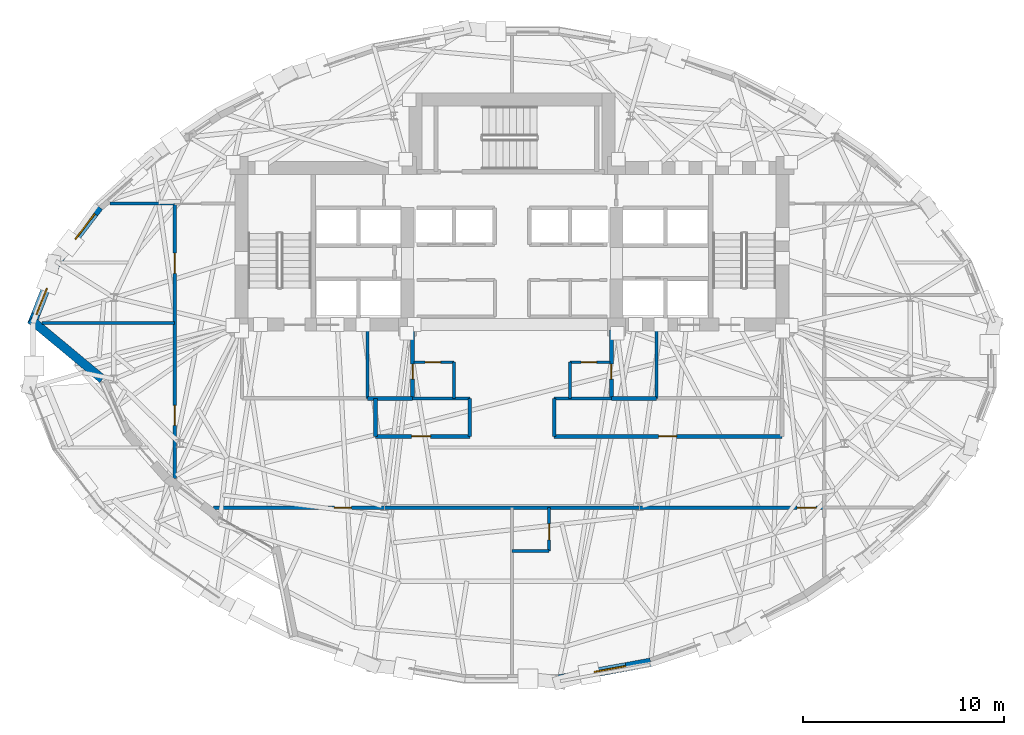
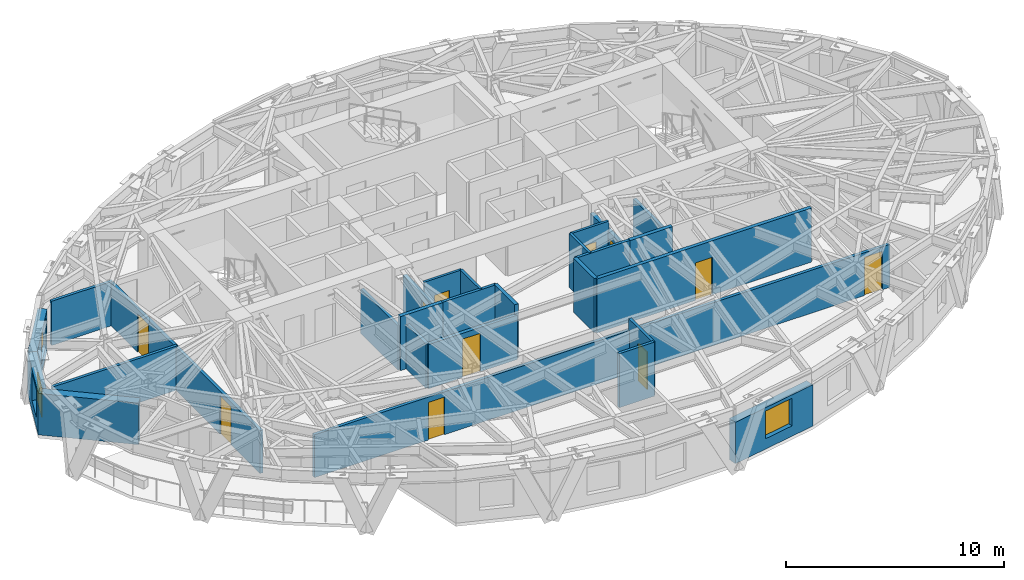
# One storey, part 7 of 15: 27 walls, 11 doors, 3 windows, 14 openings.
"""IFC4 building model written with IfcOpenShell, lengths in metres."""

from ifc_helpers import new_model, si_unit, direction, frame, frame_2d, origin, place, context, subcontext, project, spatial, rectangle, extrude, material, layer, layer_set, type_object, element, fill, save


model = new_model("IFC4")

# Units and contexts
model_context = context("Model", 3, precision=1e-05, world=origin(), true_north=direction((0.0, 1.0)))
body_context = subcontext(model_context, "Body", "Model", "MODEL_VIEW")
ifc_project = project(units=[si_unit("LENGTHUNIT", "METRE"), si_unit("AREAUNIT", "SQUARE_METRE"), si_unit("VOLUMEUNIT", "CUBIC_METRE"), si_unit("PLANEANGLEUNIT", "RADIAN"), si_unit("MASSUNIT", "GRAM", prefix="KILO")], contexts=[model_context])

# Site, building, storey
site_placement = place(None, origin())
site = spatial("IfcSite", under=ifc_project, at=site_placement, CompositionType="ELEMENT")
building_placement = place(site_placement, origin())
building = spatial("IfcBuilding", under=site, at=building_placement, Name="Keldmark Tower", CompositionType="ELEMENT")
storey_placement = place(building_placement, frame((0.0, 0.0, 195.0)))
storey = spatial("IfcBuildingStorey", under=building, at=storey_placement, Name="L54", CompositionType="ELEMENT", Elevation=195.0)

# Wall, opening, door
ifc_material_1 = material(Name="Heavy Acoustic Plumbing Chase Gypsum Assembly", Category="gypsum")
ifc_layer_1 = layer(ifc_material_1, 0.18994140625)
ifc_layer_set_1 = layer_set([ifc_layer_1], Name="Heavy Acoustic Plumbing Chase Gypsum Assembly")
wall_type_1 = type_object("IfcWallType", Name="Heavy Wet Wall 190 mm", PredefinedType="PLUMBINGWALL", material=ifc_layer_set_1)
wall_1_placement = place(storey_placement, frame((-6.800048828125, -4.050048828125, 0.0), z_axis=(0.0, 0.0, 1.0), x_axis=(1.0, 0.0, 0.0)))
wall_1 = element("IfcWall", 1, at=wall_1_placement, inside=storey, type_object=wall_type_1, Name="L54 Heavy Wet Wall 190 mm SPK-W-S", PredefinedType="PLUMBINGWALL", context=body_context, shape_type="SweptSolid", body=[
    extrude(rectangle(XDim=4.699951171875, YDim=0.18994140625, at=frame_2d((2.35009765625, 0.0))), origin(), (0.0, 0.0, 1.0), 2.472900390625),
])
opening_1_placement = place(wall_1_placement, frame((1.800048828125, 0.0, 0.0)))
opening_1 = element("IfcOpeningElement", 2, at=opening_1_placement, cuts=wall_1, Name="Opening D-AWC95", PredefinedType="OPENING", context=body_context, shape_type="SweptSolid", body=[
    extrude(rectangle(XDim=0.949951171875, YDim=2.14990234375, at=frame_2d((0.47509765625, 1.074951171875))), frame((0.0, 0.10498046875, 0.0), z_axis=(0.0, -1.0, 0.0), x_axis=(1.0, 0.0, 0.0)), (0.0, 0.0, 1.0), 0.2099609375),
])
ifc_material_2 = material(Name="Painted Solid-Core Architectural Wood", Category="wood")
door_type_1 = type_object("IfcDoorType", Name="Accessible WC Door 950x2150", OperationType="NOTDEFINED", PredefinedType="DOOR", material=ifc_material_2)
door_1_placement = place(opening_1_placement, origin())
door_1 = element("IfcDoor", 3, at=door_1_placement, inside=storey, type_object=door_type_1, Name="L54 Accessible WC Door 950x2150 D-SPKW1-L54", OperationType="SINGLE_SWING_LEFT", OverallHeight=2.14990234375, OverallWidth=0.949951171875, PredefinedType="DOOR", context=body_context, shape_type="SweptSolid", body=[
    extrude(rectangle(XDim=0.949951171875, YDim=2.14990234375, at=frame_2d((0.47509765625, 1.074951171875))), frame((0.0, 0.02490234375, 0.0), z_axis=(0.0, -1.0, 0.0), x_axis=(1.0, 0.0, 0.0)), (0.0, 0.0, 1.0), 0.050048828125),
])
fill(opening_1, door_1)

# Walls
wall_2_placement = place(storey_placement, frame((-6.800048828125, -4.050048828125, 0.0), z_axis=(0.0, 0.0, 1.0), x_axis=(0.0, 1.0, 0.0)))
element("IfcWall", 4, at=wall_2_placement, inside=storey, type_object=wall_type_1, Name="L54 Heavy Wet Wall 190 mm SPK-W-W", PredefinedType="PLUMBINGWALL", context=body_context, shape_type="SweptSolid", body=[
    extrude(rectangle(XDim=1.900146484375, YDim=0.18994140625, at=frame_2d((0.9501953125, 0.0))), origin(), (0.0, 0.0, 1.0), 2.472900390625),
])
wall_3_placement = place(storey_placement, frame((-2.10009765625, -4.050048828125, 0.0), z_axis=(0.0, 0.0, 1.0), x_axis=(0.0, 1.0, 0.0)))
element("IfcWall", 5, at=wall_3_placement, inside=storey, type_object=wall_type_1, Name="L54 Heavy Wet Wall 190 mm SPK-W-E", PredefinedType="PLUMBINGWALL", context=body_context, shape_type="SweptSolid", body=[
    extrude(rectangle(XDim=1.900146484375, YDim=0.18994140625, at=frame_2d((0.9501953125, 0.0))), origin(), (0.0, 0.0, 1.0), 3.02001953125),
])

# Wall, opening, door
wall_4_placement = place(storey_placement, frame((2.10009765625, -4.050048828125, 0.0), z_axis=(0.0, 0.0, 1.0), x_axis=(1.0, 0.0, 0.0)))
wall_4 = element("IfcWall", 6, at=wall_4_placement, inside=storey, type_object=wall_type_1, Name="L54 Heavy Wet Wall 190 mm SPK-E-S", PredefinedType="PLUMBINGWALL", context=body_context, shape_type="SweptSolid", body=[
    extrude(rectangle(XDim=11.349853515625, YDim=0.18994140625, at=frame_2d((5.6748046875, 0.0))), origin(), (0.0, 0.0, 1.0), 3.02001953125),
])
opening_2_placement = place(wall_4_placement, frame((5.199951171875, 0.0, 0.0)))
opening_2 = element("IfcOpeningElement", 7, at=opening_2_placement, cuts=wall_4, Name="Opening D-IN090", PredefinedType="OPENING", context=body_context, shape_type="SweptSolid", body=[
    extrude(rectangle(XDim=0.89990234375, YDim=2.10009765625, at=frame_2d((0.449951171875, 1.050048828125))), frame((0.0, 0.10498046875, 0.0), z_axis=(0.0, -1.0, 0.0), x_axis=(1.0, 0.0, 0.0)), (0.0, 0.0, 1.0), 0.2099609375),
])
ifc_material_3 = material(Name="Stained American White Oak Veneer", Category="wood")
door_type_2 = type_object("IfcDoorType", Name="Interior Door 900x2100", OperationType="NOTDEFINED", PredefinedType="DOOR", material=ifc_material_3)
door_2_placement = place(opening_2_placement, origin())
door_2 = element("IfcDoor", 8, at=door_2_placement, inside=storey, type_object=door_type_2, Name="L54 Interior Door 900x2100 D-SPKE1-L54", OperationType="SINGLE_SWING_RIGHT", OverallHeight=2.10009765625, OverallWidth=0.89990234375, PredefinedType="DOOR", context=body_context, shape_type="SweptSolid", body=[
    extrude(rectangle(XDim=0.89990234375, YDim=2.10009765625, at=frame_2d((0.449951171875, 1.050048828125))), frame((0.0, 0.02490234375, 0.0), z_axis=(0.0, -1.0, 0.0), x_axis=(1.0, 0.0, 0.0)), (0.0, 0.0, 1.0), 0.050048828125),
])
fill(opening_2, door_2)

# Wall
wall_5_placement = place(storey_placement, frame((2.10009765625, -4.050048828125, 0.0), z_axis=(0.0, 0.0, 1.0), x_axis=(0.0, 1.0, 0.0)))
element("IfcWall", 9, at=wall_5_placement, inside=storey, type_object=wall_type_1, Name="L54 Heavy Wet Wall 190 mm SPK-E-W", PredefinedType="PLUMBINGWALL", context=body_context, shape_type="SweptSolid", body=[
    extrude(rectangle(XDim=1.900146484375, YDim=0.18994140625, at=frame_2d((0.9501953125, 0.0))), origin(), (0.0, 0.0, 1.0), 3.02001953125),
])

# Wall, opening, door
ifc_material_4 = material(Name="Acoustic Gypsum Board Interior Partition", Category="gypsum")
ifc_layer_2 = layer(ifc_material_4, 0.1298828125)
ifc_layer_set_2 = layer_set([ifc_layer_2], Name="Acoustic Gypsum Board Interior Partition")
wall_type_2 = type_object("IfcWallType", Name="Interior Partition 130 mm", PredefinedType="PARTITIONING", material=ifc_layer_set_2)
wall_6_placement = place(storey_placement, frame((-4.8798828125, -0.35009765625, 0.0), z_axis=(0.0, 0.0, 1.0), x_axis=(1.0, 0.0, 0.0)))
wall_6 = element("IfcWall", 10, at=wall_6_placement, inside=storey, type_object=wall_type_2, Name="L54 Interior Partition 130 mm CSC-W-N", PredefinedType="PARTITIONING", context=body_context, shape_type="SweptSolid", body=[
    extrude(rectangle(XDim=1.989990234375, YDim=0.1298828125, at=frame_2d((0.9951171875, 0.0))), origin(), (0.0, 0.0, 1.0), 3.02001953125),
])
opening_3_placement = place(wall_6_placement, frame((0.550048828125, 0.0, 0.0)))
opening_3 = element("IfcOpeningElement", 11, at=opening_3_placement, cuts=wall_6, Name="Opening D-CL078", PredefinedType="OPENING", context=body_context, shape_type="SweptSolid", body=[
    extrude(rectangle(XDim=0.780029296875, YDim=2.10009765625, at=frame_2d((0.39013671875, 1.050048828125))), frame((0.0, 0.074951171875, 0.0), z_axis=(0.0, -1.0, 0.0), x_axis=(1.0, 0.0, 0.0)), (0.0, 0.0, 1.0), 0.14990234375),
])
ifc_material_5 = material(Name="Flush Utility Closet Timber Door", Category="wood")
door_type_3 = type_object("IfcDoorType", Name="Closet Door 780x2100", OperationType="NOTDEFINED", PredefinedType="DOOR", material=ifc_material_5)
door_3_placement = place(opening_3_placement, origin())
door_3 = element("IfcDoor", 12, at=door_3_placement, inside=storey, type_object=door_type_3, Name="L54 Closet Door 780x2100 D-CSCW1-L54", OperationType="SINGLE_SWING_RIGHT", OverallHeight=2.10009765625, OverallWidth=0.780029296875, PredefinedType="DOOR", context=body_context, shape_type="SweptSolid", body=[
    extrude(rectangle(XDim=0.780029296875, YDim=2.10009765625, at=frame_2d((0.39013671875, 1.050048828125))), frame((0.0, 0.02490234375, 0.0), z_axis=(0.0, -1.0, 0.0), x_axis=(1.0, 0.0, 0.0)), (0.0, 0.0, 1.0), 0.050048828125),
])
fill(opening_3, door_3)

# Wall
wall_7_placement = place(storey_placement, frame((-2.889892578125, -2.14990234375, 0.0), z_axis=(0.0, 0.0, 1.0), x_axis=(0.0, 1.0, 0.0)))
element("IfcWall", 13, at=wall_7_placement, inside=storey, type_object=wall_type_2, Name="L54 Interior Partition 130 mm CSC-W-E", PredefinedType="PARTITIONING", context=body_context, shape_type="SweptSolid", body=[
    extrude(rectangle(XDim=1.7998046875, YDim=0.1298828125, at=frame_2d((0.89990234375, 0.0))), origin(), (0.0, 0.0, 1.0), 3.02001953125),
])

# Wall, opening, door
wall_8_placement = place(storey_placement, frame((2.889892578125, -0.35009765625, 0.0), z_axis=(0.0, 0.0, 1.0), x_axis=(1.0, 0.0, 0.0)))
wall_8 = element("IfcWall", 14, at=wall_8_placement, inside=storey, type_object=wall_type_2, Name="L54 Interior Partition 130 mm CSC-E-N", PredefinedType="PARTITIONING", context=body_context, shape_type="SweptSolid", body=[
    extrude(rectangle(XDim=1.989990234375, YDim=0.1298828125, at=frame_2d((0.9951171875, 0.0))), origin(), (0.0, 0.0, 1.0), 3.02001953125),
])
opening_4_placement = place(wall_8_placement, frame((0.550048828125, 0.0, 0.0)))
opening_4 = element("IfcOpeningElement", 15, at=opening_4_placement, cuts=wall_8, Name="Opening D-CL078", PredefinedType="OPENING", context=body_context, shape_type="SweptSolid", body=[
    extrude(rectangle(XDim=0.780029296875, YDim=2.10009765625, at=frame_2d((0.39013671875, 1.050048828125))), frame((0.0, 0.074951171875, 0.0), z_axis=(0.0, -1.0, 0.0), x_axis=(1.0, 0.0, 0.0)), (0.0, 0.0, 1.0), 0.14990234375),
])
door_4_placement = place(opening_4_placement, origin())
door_4 = element("IfcDoor", 16, at=door_4_placement, inside=storey, type_object=door_type_3, Name="L54 Closet Door 780x2100 D-CSCE1-L54", OperationType="SINGLE_SWING_RIGHT", OverallHeight=2.10009765625, OverallWidth=0.780029296875, PredefinedType="DOOR", context=body_context, shape_type="SweptSolid", body=[
    extrude(rectangle(XDim=0.780029296875, YDim=2.10009765625, at=frame_2d((0.39013671875, 1.050048828125))), frame((0.0, 0.02490234375, 0.0), z_axis=(0.0, -1.0, 0.0), x_axis=(1.0, 0.0, 0.0)), (0.0, 0.0, 1.0), 0.050048828125),
])
fill(opening_4, door_4)

# Walls
wall_9_placement = place(storey_placement, frame((2.889892578125, -2.14990234375, 0.0), z_axis=(0.0, 0.0, 1.0), x_axis=(0.0, 1.0, 0.0)))
element("IfcWall", 17, at=wall_9_placement, inside=storey, type_object=wall_type_2, Name="L54 Interior Partition 130 mm CSC-E-W", PredefinedType="PARTITIONING", context=body_context, shape_type="SweptSolid", body=[
    extrude(rectangle(XDim=1.7998046875, YDim=0.1298828125, at=frame_2d((0.89990234375, 0.0))), origin(), (0.0, 0.0, 1.0), 3.02001953125),
])
ifc_material_6 = material(Name="Type X Fire-Rated Gypsum Partition Assembly", Category="gypsum")
ifc_layer_3 = layer(ifc_material_6, 0.1650390625)
ifc_layer_set_3 = layer_set([ifc_layer_3], Name="Type X Fire-Rated Gypsum Partition Assembly")
wall_type_3 = type_object("IfcWallType", Name="Rated Partition 165 mm", PredefinedType="PARTITIONING", material=ifc_layer_set_3)
for number, where, z_axis, x_axis, name in (
    (18, (-7.199951171875, -2.14990234375, 0.0), (0.0, 0.0, 1.0), (0.0, 1.0, 0.0), "L54 Rated Partition 165 mm FSAE-W-E"),
    (19, (7.199951171875, -2.14990234375, 0.0), (0.0, 0.0, 1.0), (0.0, 1.0, 0.0), "L54 Rated Partition 165 mm FSAE-E-W"),
):
    element("IfcWall", number, at=place(storey_placement, frame(where, z_axis=z_axis, x_axis=x_axis)), inside=storey, type_object=wall_type_3, Name=name, PredefinedType="PARTITIONING", context=body_context, shape_type="SweptSolid", body=[
        extrude(rectangle(XDim=3.39990234375, YDim=0.1650390625, at=frame_2d((1.699951171875, 0.0))), origin(), (0.0, 0.0, 1.0), 2.472900390625),
    ])

# Wall, openings, doors
wall_10_placement = place(storey_placement, frame((-14.878173828125, -7.60009765625, 0.0), z_axis=(0.0, 0.0, 1.0), x_axis=(1.0, 0.0, 0.0)))
wall_10 = element("IfcWall", 20, at=wall_10_placement, inside=storey, type_object=wall_type_3, Name="L54 Rated Partition 165 mm HCOR-S", PredefinedType="PARTITIONING", context=body_context, shape_type="SweptSolid", body=[
    extrude(rectangle(XDim=30.42822265625, YDim=0.1650390625, at=frame_2d((15.214111328125, 0.0))), origin(), (0.0, 0.0, 1.0), 2.39794921875),
])
opening_5_placement = place(wall_10_placement, frame((6.0283203125, 0.0, 0.0)))
opening_5 = element("IfcOpeningElement", 21, at=opening_5_placement, cuts=wall_10, Name="Opening D-SV085", PredefinedType="OPENING", context=body_context, shape_type="SweptSolid", body=[
    extrude(rectangle(XDim=0.85009765625, YDim=2.10009765625, at=frame_2d((0.425048828125, 1.050048828125))), frame((0.0, 0.092529296875, 0.0), z_axis=(0.0, -1.0, 0.0), x_axis=(1.0, 0.0, 0.0)), (0.0, 0.0, 1.0), 0.18505859375),
])
opening_6_placement = place(wall_10_placement, frame((29.078125, 0.0, 0.0)))
opening_6 = element("IfcOpeningElement", 22, at=opening_6_placement, cuts=wall_10, Name="Opening D-HT095", PredefinedType="OPENING", context=body_context, shape_type="SweptSolid", body=[
    extrude(rectangle(XDim=0.949951171875, YDim=2.14990234375, at=frame_2d((0.47509765625, 1.074951171875))), frame((0.0, 0.092529296875, 0.0), z_axis=(0.0, -1.0, 0.0), x_axis=(1.0, 0.0, 0.0)), (0.0, 0.0, 1.0), 0.18505859375),
])
ifc_material_7 = material(Name="Solid-Core Acoustic White Oak Fire-Rated Assembly", Category="wood")
door_type_4 = type_object("IfcDoorType", Name="Hotel Entry Door 950x2150", OperationType="NOTDEFINED", PredefinedType="DOOR", material=ifc_material_7)
door_5_placement = place(opening_6_placement, origin())
door_5 = element("IfcDoor", 23, at=door_5_placement, inside=storey, type_object=door_type_4, Name="L54 Hotel Entry Door 950x2150 D-HRS2-L54", OperationType="SINGLE_SWING_LEFT", OverallHeight=2.14990234375, OverallWidth=0.949951171875, PredefinedType="DOOR", context=body_context, shape_type="SweptSolid", body=[
    extrude(rectangle(XDim=0.949951171875, YDim=2.14990234375, at=frame_2d((0.47509765625, 1.074951171875))), frame((0.0, 0.02490234375, 0.0), z_axis=(0.0, -1.0, 0.0), x_axis=(1.0, 0.0, 0.0)), (0.0, 0.0, 1.0), 0.050048828125),
])
fill(opening_6, door_5)
ifc_material_8 = material(Name="Painted Hollow Metal Door Assembly", Category="metal")
door_type_5 = type_object("IfcDoorType", Name="Service Door 850x2100", OperationType="NOTDEFINED", PredefinedType="DOOR", material=ifc_material_8)
door_6_placement = place(opening_5_placement, origin())
door_6 = element("IfcDoor", 24, at=door_6_placement, inside=storey, type_object=door_type_5, Name="L54 Service Door 850x2100 D-HSHK-1-L54", OperationType="SINGLE_SWING_LEFT", OverallHeight=2.10009765625, OverallWidth=0.85009765625, PredefinedType="DOOR", context=body_context, shape_type="SweptSolid", body=[
    extrude(rectangle(XDim=0.85009765625, YDim=2.10009765625, at=frame_2d((0.425048828125, 1.050048828125))), frame((0.0, 0.02490234375, 0.0), z_axis=(0.0, -1.0, 0.0), x_axis=(1.0, 0.0, 0.0)), (0.0, 0.0, 1.0), 0.050048828125),
])
fill(opening_5, door_6)

wall_11_placement = place(storey_placement, frame((-16.800048828125, -6.150146484375, 0.0), z_axis=(0.0, 0.0, 1.0), x_axis=(0.0, 1.0, 0.0)))
wall_11 = element("IfcWall", 25, at=wall_11_placement, inside=storey, type_object=wall_type_3, Name="L54 Rated Partition 165 mm HCOR-W", PredefinedType="PARTITIONING", context=body_context, shape_type="SweptSolid", body=[
    extrude(rectangle(XDim=13.7001953125, YDim=0.1650390625, at=frame_2d((6.85009765625, 0.0))), origin(), (0.0, 0.0, 1.0), 2.39794921875),
])
opening_7_placement = place(wall_11_placement, frame((2.650146484375, 0.0, 0.0)))
opening_7 = element("IfcOpeningElement", 26, at=opening_7_placement, cuts=wall_11, Name="Opening D-FD100", PredefinedType="OPENING", context=body_context, shape_type="SweptSolid", body=[
    extrude(rectangle(XDim=1.0, YDim=2.14990234375, at=frame_2d((0.5, 1.074951171875))), frame((0.0, 0.092529296875, 0.0), z_axis=(0.0, -1.0, 0.0), x_axis=(1.0, 0.0, 0.0)), (0.0, 0.0, 1.0), 0.18505859375),
])
opening_8_placement = place(wall_11_placement, frame((10.22509765625, 0.0, 0.0)))
opening_8 = element("IfcOpeningElement", 27, at=opening_8_placement, cuts=wall_11, Name="Opening D-FD100", PredefinedType="OPENING", context=body_context, shape_type="SweptSolid", body=[
    extrude(rectangle(XDim=1.0, YDim=2.14990234375, at=frame_2d((0.5, 1.074951171875))), frame((0.0, 0.092529296875, 0.0), z_axis=(0.0, -1.0, 0.0), x_axis=(1.0, 0.0, 0.0)), (0.0, 0.0, 1.0), 0.18505859375),
])
ifc_material_9 = material(Name="Hollow Metal Fire-Rated Corridor Door", Category="metal")
door_type_6 = type_object("IfcDoorType", Name="Fire Door 1000x2150", OperationType="NOTDEFINED", PredefinedType="DOOR", material=ifc_material_9)
door_7_placement = place(opening_7_placement, origin())
door_7 = element("IfcDoor", 28, at=door_7_placement, inside=storey, type_object=door_type_6, Name="L54 Fire Door 1000x2150 D-HWSP-1-L54", OperationType="SINGLE_SWING_RIGHT", OverallHeight=2.14990234375, OverallWidth=1.0, PredefinedType="DOOR", context=body_context, shape_type="SweptSolid", body=[
    extrude(rectangle(XDim=1.0, YDim=2.14990234375, at=frame_2d((0.5, 1.074951171875))), frame((0.0, 0.02490234375, 0.0), z_axis=(0.0, -1.0, 0.0), x_axis=(1.0, 0.0, 0.0)), (0.0, 0.0, 1.0), 0.050048828125),
])
fill(opening_7, door_7)
door_8_placement = place(opening_8_placement, origin())
door_8 = element("IfcDoor", 29, at=door_8_placement, inside=storey, type_object=door_type_6, Name="L54 Fire Door 1000x2150 D-HWSP-2-L54", OperationType="SINGLE_SWING_LEFT", OverallHeight=2.14990234375, OverallWidth=1.0, PredefinedType="DOOR", context=body_context, shape_type="SweptSolid", body=[
    extrude(rectangle(XDim=1.0, YDim=2.14990234375, at=frame_2d((0.5, 1.074951171875))), frame((0.0, 0.02490234375, 0.0), z_axis=(0.0, -1.0, 0.0), x_axis=(1.0, 0.0, 0.0)), (0.0, 0.0, 1.0), 0.050048828125),
])
fill(opening_8, door_8)

# Wall
ifc_material_10 = material(Name="Fire-Resistant Type X Gypsum Shaftliner Coreboard", Category="gypsum")
ifc_layer_4 = layer(ifc_material_10, 0.199951171875)
ifc_layer_set_4 = layer_set([ifc_layer_4], Name="Fire-Resistant Type X Gypsum Shaftliner Coreboard")
wall_type_4 = type_object("IfcWallType", Name="Shaft Wall 200 mm", PredefinedType="SOLIDWALL", material=ifc_layer_set_4)
wall_12_placement = place(storey_placement, frame((-7.199951171875, -2.14990234375, 0.0), z_axis=(0.0, 0.0, 1.0), x_axis=(1.0, 0.0, 0.0)))
element("IfcWall", 30, at=wall_12_placement, inside=storey, type_object=wall_type_4, Name="L54 Shaft Wall 200 mm RIS-SW-S", PredefinedType="SOLIDWALL", context=body_context, shape_type="SweptSolid", body=[
    extrude(rectangle(XDim=2.25, YDim=0.199951171875, at=frame_2d((1.125, 0.0))), origin(), (0.0, 0.0, 1.0), 3.02001953125),
])

# Wall, opening, door
wall_13_placement = place(storey_placement, frame((-4.949951171875, -2.14990234375, 0.0), z_axis=(0.0, 0.0, 1.0), x_axis=(0.0, 1.0, 0.0)))
wall_13 = element("IfcWall", 31, at=wall_13_placement, inside=storey, type_object=wall_type_4, Name="L54 Shaft Wall 200 mm RIS-SW-E", PredefinedType="SOLIDWALL", context=body_context, shape_type="SweptSolid", body=[
    extrude(rectangle(XDim=3.39990234375, YDim=0.199951171875, at=frame_2d((1.699951171875, 0.0))), origin(), (0.0, 0.0, 1.0), 2.472900390625),
])
opening_9_placement = place(wall_13_placement, frame((0.949951171875, 0.0, 0.0)))
opening_9 = element("IfcOpeningElement", 32, at=opening_9_placement, cuts=wall_13, Name="Opening D-RS075", PredefinedType="OPENING", context=body_context, shape_type="SweptSolid", body=[
    extrude(rectangle(XDim=0.75, YDim=2.10009765625, at=frame_2d((0.375, 1.050048828125))), frame((0.0, 0.10986328125, 0.0), z_axis=(0.0, -1.0, 0.0), x_axis=(1.0, 0.0, 0.0)), (0.0, 0.0, 1.0), 0.219970703125),
])
ifc_material_11 = material(Name="Galvanized Fire-Rated Access Leaf", Category="metal")
door_type_7 = type_object("IfcDoorType", Name="Riser Access Door 750x2100", OperationType="NOTDEFINED", PredefinedType="DOOR", material=ifc_material_11)
door_9_placement = place(opening_9_placement, origin())
door_9 = element("IfcDoor", 33, at=door_9_placement, inside=storey, type_object=door_type_7, Name="L54 Riser Access Door 750x2100 D-RISSW-L54", OperationType="SINGLE_SWING_RIGHT", OverallHeight=2.10009765625, OverallWidth=0.75, PredefinedType="DOOR", context=body_context, shape_type="SweptSolid", body=[
    extrude(rectangle(XDim=0.75, YDim=2.10009765625, at=frame_2d((0.375, 1.050048828125))), frame((0.0, 0.02490234375, 0.0), z_axis=(0.0, -1.0, 0.0), x_axis=(1.0, 0.0, 0.0)), (0.0, 0.0, 1.0), 0.050048828125),
])
fill(opening_9, door_9)

# Wall
wall_14_placement = place(storey_placement, frame((4.949951171875, -2.14990234375, 0.0), z_axis=(0.0, 0.0, 1.0), x_axis=(1.0, 0.0, 0.0)))
element("IfcWall", 34, at=wall_14_placement, inside=storey, type_object=wall_type_4, Name="L54 Shaft Wall 200 mm RIS-SE-S", PredefinedType="SOLIDWALL", context=body_context, shape_type="SweptSolid", body=[
    extrude(rectangle(XDim=2.25, YDim=0.199951171875, at=frame_2d((1.125, 0.0))), origin(), (0.0, 0.0, 1.0), 3.02001953125),
])

# Wall, opening, door
wall_15_placement = place(storey_placement, frame((4.949951171875, -2.14990234375, 0.0), z_axis=(0.0, 0.0, 1.0), x_axis=(0.0, 1.0, 0.0)))
wall_15 = element("IfcWall", 35, at=wall_15_placement, inside=storey, type_object=wall_type_4, Name="L54 Shaft Wall 200 mm RIS-SE-W", PredefinedType="SOLIDWALL", context=body_context, shape_type="SweptSolid", body=[
    extrude(rectangle(XDim=3.39990234375, YDim=0.199951171875, at=frame_2d((1.699951171875, 0.0))), origin(), (0.0, 0.0, 1.0), 2.472900390625),
])
opening_10_placement = place(wall_15_placement, frame((0.949951171875, 0.0, 0.0)))
opening_10 = element("IfcOpeningElement", 36, at=opening_10_placement, cuts=wall_15, Name="Opening D-RS075", PredefinedType="OPENING", context=body_context, shape_type="SweptSolid", body=[
    extrude(rectangle(XDim=0.75, YDim=2.10009765625, at=frame_2d((0.375, 1.050048828125))), frame((0.0, 0.10986328125, 0.0), z_axis=(0.0, -1.0, 0.0), x_axis=(1.0, 0.0, 0.0)), (0.0, 0.0, 1.0), 0.219970703125),
])
door_10_placement = place(opening_10_placement, origin())
door_10 = element("IfcDoor", 37, at=door_10_placement, inside=storey, type_object=door_type_7, Name="L54 Riser Access Door 750x2100 D-RISSE-L54", OperationType="SINGLE_SWING_LEFT", OverallHeight=2.10009765625, OverallWidth=0.75, PredefinedType="DOOR", context=body_context, shape_type="SweptSolid", body=[
    extrude(rectangle(XDim=0.75, YDim=2.10009765625, at=frame_2d((0.375, 1.050048828125))), frame((0.0, 0.02490234375, 0.0), z_axis=(0.0, -1.0, 0.0), x_axis=(1.0, 0.0, 0.0)), (0.0, 0.0, 1.0), 0.050048828125),
])
fill(opening_10, door_10)

# Wall, opening, window
ifc_material_12 = material(Name="Ironspot Manganese Brick and Kasota Buff Limestone Spandrel Assembly", Category="masonry")
ifc_layer_5 = layer(ifc_material_12, 0.43994140625)
ifc_layer_set_5 = layer_set([ifc_layer_5], Name="Ironspot Manganese Brick and Kasota Buff Limestone Spandrel Assembly")
wall_type_5 = type_object("IfcWallType", Name="Tower Brick Pier and Spandrel Wall 440 mm", PredefinedType="STANDARD", material=ifc_layer_set_5)
wall_16_placement = place(storey_placement, frame((-22.721923828125, 4.574951171875, 0.0), z_axis=(0.0, 0.0, 1.0), x_axis=(0.608586512644, 0.793487527708, 0.0)))
wall_16 = element("IfcWall", 38, at=wall_16_placement, inside=storey, type_object=wall_type_5, Name="L54 Exterior Brick and Spandrel Wall 14", PredefinedType="STANDARD", context=body_context, shape_type="SweptSolid", body=[
    extrude(rectangle(XDim=3.53857421875, YDim=0.43994140625, at=frame_2d((1.769287109375, 0.0))), origin(), (0.0, 0.0, 1.0), 2.31494140625),
])
opening_11_placement = place(wall_16_placement, frame((1.540283203125, 0.0, 0.580078125)))
opening_11 = element("IfcOpeningElement", 39, at=opening_11_placement, cuts=wall_16, Name="Opening W-04", PredefinedType="OPENING", context=body_context, shape_type="SweptSolid", body=[
    extrude(rectangle(XDim=1.60009765625, YDim=1.550048828125, at=frame_2d((0.800048828125, 0.77490234375))), frame((0.0, 0.22998046875, 0.0), z_axis=(0.0, -1.0, 0.0), x_axis=(1.0, 0.0, 0.0)), (0.0, 0.0, 1.0), 0.4599609375),
])
ifc_material_13 = material(Name="Thermally Broken Anodized Aluminum and Triple Low-E Argon Glazing", Category="aluminium")
window_type_1 = type_object("IfcWindowType", Name="Hotel Deep-Set Operable Window 1600x1550", PartitioningType="DOUBLE_PANEL_HORIZONTAL", PredefinedType="WINDOW", material=ifc_material_13)
window_1_placement = place(opening_11_placement, origin())
window_1 = element("IfcWindow", 40, at=window_1_placement, inside=storey, type_object=window_type_1, Name="L54 Deep-Set Window 14", OverallHeight=1.550048828125, OverallWidth=1.60009765625, PartitioningType="SINGLE_PANEL", PredefinedType="WINDOW", context=body_context, shape_type="SweptSolid", body=[
    extrude(rectangle(XDim=1.60009765625, YDim=1.550048828125, at=frame_2d((0.800048828125, 0.77490234375))), frame((0.0, -0.010009765625, 0.0), z_axis=(0.0, -1.0, 0.0), x_axis=(1.0, 0.0, 0.0)), (0.0, 0.0, 1.0), 0.06005859375),
])
fill(opening_11, window_1)

wall_17_placement = place(storey_placement, frame((-23.924560546875, 1.52978515625, 0.0), z_axis=(0.0, 0.0, 1.0), x_axis=(0.369672887509, 0.929161964483, 0.0)))
wall_17 = element("IfcWall", 41, at=wall_17_placement, inside=storey, type_object=wall_type_5, Name="L54 Exterior Brick and Spandrel Wall 15", PredefinedType="STANDARD", context=body_context, shape_type="SweptSolid", body=[
    extrude(rectangle(XDim=3.333740234375, YDim=0.43994140625, at=frame_2d((1.6669921875, 0.0))), origin(), (0.0, 0.0, 1.0), 2.31494140625),
])
opening_12_placement = place(wall_17_placement, frame((0.54638671875, 0.0, 0.580078125)))
opening_12 = element("IfcOpeningElement", 42, at=opening_12_placement, cuts=wall_17, Name="Opening W-08", PredefinedType="OPENING", context=body_context, shape_type="SweptSolid", body=[
    extrude(rectangle(XDim=1.39990234375, YDim=1.550048828125, at=frame_2d((0.699951171875, 0.77490234375))), frame((0.0, 0.22998046875, 0.0), z_axis=(0.0, -1.0, 0.0), x_axis=(1.0, 0.0, 0.0)), (0.0, 0.0, 1.0), 0.4599609375),
])
ifc_material_14 = material(Name="Thermally Broken Anodized Aluminum and Triple Low-E Argon Glazing", Category="aluminium")
window_type_2 = type_object("IfcWindowType", Name="Residential Corner Punched Window 1400x1550", PartitioningType="SINGLE_PANEL", PredefinedType="WINDOW", material=ifc_material_14)
window_2_placement = place(opening_12_placement, origin())
window_2 = element("IfcWindow", 43, at=window_2_placement, inside=storey, type_object=window_type_2, Name="L54 Deep-Set Window 15", OverallHeight=1.550048828125, OverallWidth=1.39990234375, PartitioningType="SINGLE_PANEL", PredefinedType="WINDOW", context=body_context, shape_type="SweptSolid", body=[
    extrude(rectangle(XDim=1.39990234375, YDim=1.550048828125, at=frame_2d((0.699951171875, 0.77490234375))), frame((0.0, -0.010009765625, 0.0), z_axis=(0.0, -1.0, 0.0), x_axis=(1.0, 0.0, 0.0)), (0.0, 0.0, 1.0), 0.06005859375),
])
fill(opening_12, window_2)

# Wall
wall_18_placement = place(storey_placement, frame((-20.396484375, -1.201904296875, 0.0), z_axis=(0.0, 0.0, 1.0), x_axis=(-0.769351690776, 0.638825465914, 0.0)))
element("IfcWall", 44, at=wall_18_placement, inside=storey, type_object=wall_type_5, Name="L54 Exterior Brick and Spandrel Wall 16", PredefinedType="STANDARD", context=body_context, shape_type="SweptSolid", body=[
    extrude(rectangle(XDim=4.668701171875, YDim=0.43994140625, at=frame_2d((2.33447265625, 0.0))), origin(), (0.0, 0.0, 1.0), 2.319091796875),
])

# Wall, opening, window
wall_19_placement = place(storey_placement, frame((6.906005859375, -15.306396484375, 0.0), z_axis=(0.0, 0.0, 1.0), x_axis=(-0.983691132349, -0.179865939348, 0.0)))
wall_19 = element("IfcWall", 45, at=wall_19_placement, inside=storey, type_object=wall_type_5, Name="L54 Exterior Brick and Spandrel Wall 25", PredefinedType="STANDARD", context=body_context, shape_type="SweptSolid", body=[
    extrude(rectangle(XDim=4.644775390625, YDim=0.43994140625, at=frame_2d((2.322265625, 0.0))), origin(), (0.0, 0.0, 1.0), 2.31494140625),
])
opening_13_placement = place(wall_19_placement, frame((1.248046875, 0.0, 0.580078125)))
opening_13 = element("IfcOpeningElement", 46, at=opening_13_placement, cuts=wall_19, Name="Opening W-04", PredefinedType="OPENING", context=body_context, shape_type="SweptSolid", body=[
    extrude(rectangle(XDim=1.60009765625, YDim=1.550048828125, at=frame_2d((0.800048828125, 0.77490234375))), frame((0.0, 0.22998046875, 0.0), z_axis=(0.0, -1.0, 0.0), x_axis=(1.0, 0.0, 0.0)), (0.0, 0.0, 1.0), 0.4599609375),
])
window_3_placement = place(opening_13_placement, origin())
window_3 = element("IfcWindow", 47, at=window_3_placement, inside=storey, type_object=window_type_1, Name="L54 Deep-Set Window 25", OverallHeight=1.550048828125, OverallWidth=1.60009765625, PartitioningType="SINGLE_PANEL", PredefinedType="WINDOW", context=body_context, shape_type="SweptSolid", body=[
    extrude(rectangle(XDim=1.60009765625, YDim=1.550048828125, at=frame_2d((0.800048828125, 0.77490234375))), frame((0.0, -0.010009765625, 0.0), z_axis=(0.0, -1.0, 0.0), x_axis=(1.0, 0.0, 0.0)), (0.0, 0.0, 1.0), 0.06005859375),
])
fill(opening_13, window_3)

# Walls
ifc_material_15 = material(Name="Moisture-Resistant Gypsum Plumbing Partition", Category="gypsum")
ifc_layer_6 = layer(ifc_material_15, 0.14990234375)
ifc_layer_set_6 = layer_set([ifc_layer_6], Name="Moisture-Resistant Gypsum Plumbing Partition")
wall_type_6 = type_object("IfcWallType", Name="Wet Wall 150 mm", PredefinedType="PLUMBINGWALL", material=ifc_layer_set_6)
for number, where, z_axis, x_axis, name in (
    (48, (-4.949951171875, -2.14990234375, 0.0), (0.0, 0.0, 1.0), (1.0, 0.0, 0.0), "L54 Wet Wall 150 mm SPK-W-N"),
    (49, (2.10009765625, -2.14990234375, 0.0), (0.0, 0.0, 1.0), (1.0, 0.0, 0.0), "L54 Wet Wall 150 mm SPK-E-N"),
):
    element("IfcWall", number, at=place(storey_placement, frame(where, z_axis=z_axis, x_axis=x_axis)), inside=storey, type_object=wall_type_6, Name=name, PredefinedType="PLUMBINGWALL", context=body_context, shape_type="SweptSolid", body=[
        extrude(rectangle(XDim=2.849853515625, YDim=0.14990234375, at=frame_2d((1.4248046875, 0.0))), origin(), (0.0, 0.0, 1.0), 3.02001953125),
    ])
wall_20_placement = place(storey_placement, frame((-20.025390625, 7.550048828125, 0.0), z_axis=(0.0, 0.0, 1.0), x_axis=(1.0, 0.0, 0.0)))
element("IfcWall", 50, at=wall_20_placement, inside=storey, type_object=wall_type_6, Name="L54 Wet Wall 150 mm HW-CAP-N", PredefinedType="PLUMBINGWALL", context=body_context, shape_type="SweptSolid", body=[
    extrude(rectangle(XDim=3.225341796875, YDim=0.14990234375, at=frame_2d((1.61279296875, 0.0))), origin(), (0.0, 0.0, 1.0), 2.472900390625),
])

# Wall, opening, door
wall_21_placement = place(storey_placement, frame((1.85009765625, -9.75, 0.0), z_axis=(0.0, 0.0, 1.0), x_axis=(0.0, 1.0, 0.0)))
wall_21 = element("IfcWall", 51, at=wall_21_placement, inside=storey, type_object=wall_type_6, Name="L54 Wet Wall 150 mm HB-S2-E", PredefinedType="PLUMBINGWALL", context=body_context, shape_type="SweptSolid", body=[
    extrude(rectangle(XDim=2.14990234375, YDim=0.14990234375, at=frame_2d((1.074951171875, 0.0))), origin(), (0.0, 0.0, 1.0), 3.02001953125),
])
opening_14_placement = place(wall_21_placement, frame((0.550048828125, 0.0, 0.0)))
opening_14 = element("IfcOpeningElement", 52, at=opening_14_placement, cuts=wall_21, Name="Opening D-BT080", PredefinedType="OPENING", context=body_context, shape_type="SweptSolid", body=[
    extrude(rectangle(XDim=0.800048828125, YDim=2.10009765625, at=frame_2d((0.39990234375, 1.050048828125))), frame((0.0, 0.0849609375, 0.0), z_axis=(0.0, -1.0, 0.0), x_axis=(1.0, 0.0, 0.0)), (0.0, 0.0, 1.0), 0.169921875),
])
ifc_material_16 = material(Name="Moisture-Sealed Stained Wood", Category="wood")
door_type_8 = type_object("IfcDoorType", Name="Bathroom Door 800x2100", OperationType="NOTDEFINED", PredefinedType="DOOR", material=ifc_material_16)
door_11_placement = place(opening_14_placement, origin())
door_11 = element("IfcDoor", 53, at=door_11_placement, inside=storey, type_object=door_type_8, Name="L54 Bathroom Door 800x2100 D-HBS2-L54", OperationType="SINGLE_SWING_RIGHT", OverallHeight=2.10009765625, OverallWidth=0.800048828125, PredefinedType="DOOR", context=body_context, shape_type="SweptSolid", body=[
    extrude(rectangle(XDim=0.800048828125, YDim=2.10009765625, at=frame_2d((0.39990234375, 1.050048828125))), frame((0.0, 0.02490234375, 0.0), z_axis=(0.0, -1.0, 0.0), x_axis=(1.0, 0.0, 0.0)), (0.0, 0.0, 1.0), 0.050048828125),
])
fill(opening_14, door_11)

# Walls
wall_22_placement = place(storey_placement, frame((0.0, -9.75, 0.0), z_axis=(0.0, 0.0, 1.0), x_axis=(1.0, 0.0, 0.0)))
element("IfcWall", 54, at=wall_22_placement, inside=storey, type_object=wall_type_6, Name="L54 Wet Wall 150 mm HB-S2-S", PredefinedType="PLUMBINGWALL", context=body_context, shape_type="SweptSolid", body=[
    extrude(rectangle(XDim=1.85009765625, YDim=0.14990234375, at=frame_2d((0.925048828125, 0.0))), origin(), (0.0, 0.0, 1.0), 3.02001953125),
])
wall_23_placement = place(storey_placement, frame((-23.4140625, 1.60009765625, 0.0), z_axis=(0.0, 0.0, 1.0), x_axis=(1.0, 0.0, 0.0)))
element("IfcWall", 55, at=wall_23_placement, inside=storey, type_object=wall_type_6, Name="L54 Wet Wall 150 mm HW-DIV-1", PredefinedType="PLUMBINGWALL", context=body_context, shape_type="SweptSolid", body=[
    extrude(rectangle(XDim=6.614013671875, YDim=0.14990234375, at=frame_2d((3.30712890625, 0.0))), origin(), (0.0, 0.0, 1.0), 2.472900390625),
])

save(model, "model.ifc")
